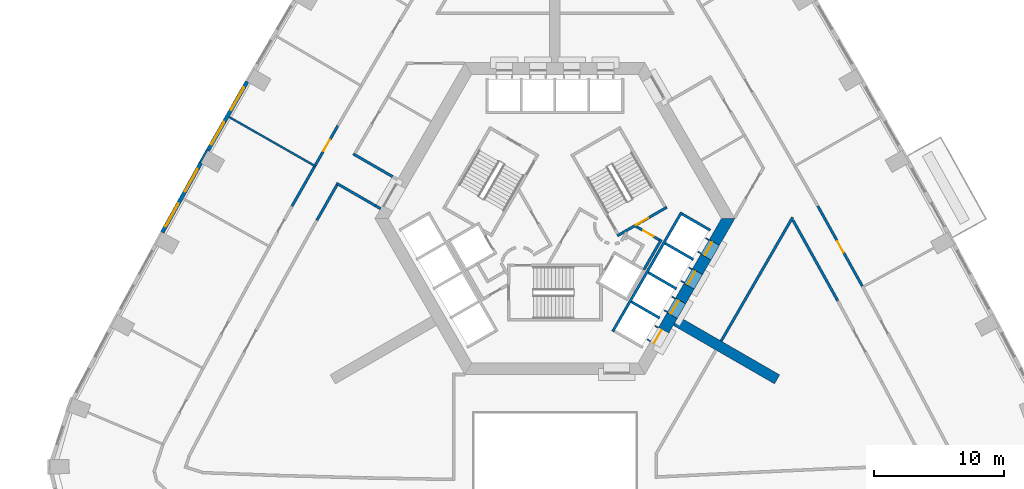
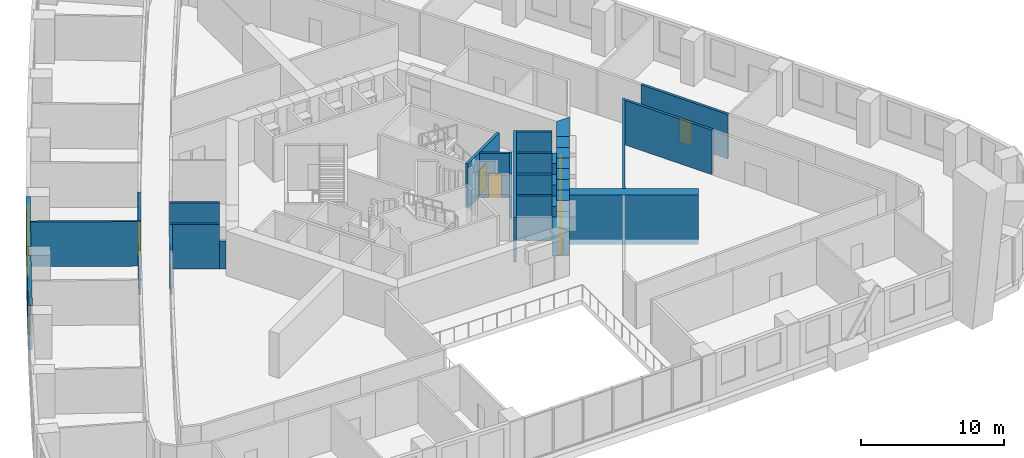
# One storey, part 7 of 15: 33 walls, 8 doors, 4 windows, 12 openings.
"""IFC4 building model written with IfcOpenShell, lengths in metres."""

from ifc_helpers import new_model, si_unit, direction, frame, frame_2d, origin, place, context, subcontext, project, spatial, polyline, rectangle, outline, extrude, material, layer, layer_set, type_object, element, fill, save


model = new_model("IFC4")

# Units and contexts
model_context = context("Model", 3, precision=1e-05, world=origin(), true_north=direction((0.0, 1.0)))
body_context = subcontext(model_context, "Body", "Model", "MODEL_VIEW")
ifc_project = project(units=[si_unit("LENGTHUNIT", "METRE"), si_unit("AREAUNIT", "SQUARE_METRE"), si_unit("VOLUMEUNIT", "CUBIC_METRE"), si_unit("PLANEANGLEUNIT", "RADIAN"), si_unit("MASSUNIT", "GRAM", prefix="KILO")], contexts=[model_context])

# Site, building, storey
site_placement = place(None, origin())
site = spatial("IfcSite", under=ifc_project, at=site_placement, CompositionType="ELEMENT")
building_placement = place(site_placement, origin())
building = spatial("IfcBuilding", under=site, at=building_placement, Name="Entoto Arch Interchange Tower", CompositionType="ELEMENT")
storey_placement = place(building_placement, frame((0.0, 0.0, 111.800048828125)))
storey = spatial("IfcBuildingStorey", under=building, at=storey_placement, Name="L24", CompositionType="ELEMENT", Elevation=111.800048828125)

# Walls
ifc_material_1 = material(Name="Concrete C60/75", Category="concrete")
ifc_layer_1 = layer(ifc_material_1, 0.800048828125)
ifc_layer_set_1 = layer_set([ifc_layer_1], Name="Concrete C60/75")
wall_type_1 = type_object("IfcWallType", Name="Buttress wall 800 C60/75", PredefinedType="SHEAR", material=ifc_layer_set_1)
wall_1_placement = place(storey_placement, frame((9.31005859375, -5.375, -0.400146484375), z_axis=(0.0, 0.0, 1.0), x_axis=(0.866017533419, -0.500013631625, 0.0)))
element("IfcWall", 1, at=wall_1_placement, inside=storey, type_object=wall_type_1, Name="Buttress wall SE L24", PredefinedType="SHEAR", context=body_context, shape_type="SweptSolid", body=[
    extrude(rectangle(XDim=8.999755859375, YDim=0.800048828125, at=frame_2d((4.5, 0.0))), origin(), (0.0, 0.0, 1.0), 4.2001953125),
])
ifc_layer_2 = layer(ifc_material_1, 0.89990234375)
ifc_layer_set_2 = layer_set([ifc_layer_2], Name="Concrete C60/75")
wall_type_2 = type_object("IfcWallType", Name="Core wall 900 C60/75", PredefinedType="SHEAR", material=ifc_layer_set_2)
wall_2_placement = place(storey_placement, frame((0.0, 0.0, -0.400146484375)))
element("IfcWall", 2, at=wall_2_placement, inside=storey, type_object=wall_type_2, Name="Core wall SE L24", PredefinedType="SHEAR", context=body_context, shape_type="SweptSolid", body=[
    extrude(outline(polyline([(9.4169921875, -5.18896484375), (8.637939453125, -4.739013671875), (7.988037109375, -5.864013671875), (8.76708984375, -6.31396484375), (9.4169921875, -5.18896484375)])), origin(), (0.0, 0.0, 1.0), 4.2001953125),
])
wall_3_placement = place(storey_placement, frame((0.0, 0.0, -0.400146484375)))
element("IfcWall", 3, at=wall_3_placement, inside=storey, type_object=wall_type_2, Name="Core wall SE L24", PredefinedType="SHEAR", context=body_context, shape_type="SweptSolid", body=[
    extrude(outline(polyline([(10.717041015625, -2.93701171875), (9.93798828125, -2.487060546875), (9.2880859375, -3.613037109375), (10.06689453125, -4.06298828125), (10.717041015625, -2.93701171875)])), origin(), (0.0, 0.0, 1.0), 4.2001953125),
])
wall_4_placement = place(storey_placement, frame((0.0, 0.0, -0.400146484375)))
element("IfcWall", 4, at=wall_4_placement, inside=storey, type_object=wall_type_2, Name="Core wall SE L24", PredefinedType="SHEAR", context=body_context, shape_type="SweptSolid", body=[
    extrude(outline(polyline([(12.01708984375, -0.68603515625), (11.238037109375, -0.236083984375), (10.587890625, -1.361083984375), (11.366943359375, -1.81103515625), (12.01708984375, -0.68603515625)])), origin(), (0.0, 0.0, 1.0), 4.2001953125),
])
wall_5_placement = place(storey_placement, frame((0.0, 0.0, -0.400146484375)))
element("IfcWall", 5, at=wall_5_placement, inside=storey, type_object=wall_type_2, Name="Core wall SE L24", PredefinedType="SHEAR", context=body_context, shape_type="SweptSolid", body=[
    extrude(outline(polyline([(11.887939453125, 0.889892578125), (12.6669921875, 0.43994140625), (13.85595703125, 2.5), (12.81689453125, 2.5), (11.887939453125, 0.889892578125)])), origin(), (0.0, 0.0, 1.0), 4.2001953125),
])
wall_6_placement = place(storey_placement, frame((0.0, 0.0, 3.599853515625)))
element("IfcWall", 6, at=wall_6_placement, inside=storey, type_object=wall_type_2, Name="Core wall lintel SE L24", PredefinedType="SHEAR", context=body_context, shape_type="SweptSolid", body=[
    extrude(outline(polyline([(10.06689453125, -4.06298828125), (9.2880859375, -3.613037109375), (8.637939453125, -4.739013671875), (9.4169921875, -5.18896484375), (10.06689453125, -4.06298828125)])), origin(), (0.0, 0.0, 1.0), 0.2001953125),
])
wall_7_placement = place(storey_placement, frame((0.0, 0.0, 3.599853515625)))
element("IfcWall", 7, at=wall_7_placement, inside=storey, type_object=wall_type_2, Name="Core wall lintel SE L24", PredefinedType="SHEAR", context=body_context, shape_type="SweptSolid", body=[
    extrude(outline(polyline([(11.366943359375, -1.81103515625), (10.587890625, -1.361083984375), (9.93798828125, -2.487060546875), (10.717041015625, -2.93701171875), (11.366943359375, -1.81103515625)])), origin(), (0.0, 0.0, 1.0), 0.2001953125),
])
wall_8_placement = place(storey_placement, frame((0.0, 0.0, 3.599853515625)))
element("IfcWall", 8, at=wall_8_placement, inside=storey, type_object=wall_type_2, Name="Core wall lintel SE L24", PredefinedType="SHEAR", context=body_context, shape_type="SweptSolid", body=[
    extrude(outline(polyline([(12.6669921875, 0.43994140625), (11.887939453125, 0.889892578125), (11.238037109375, -0.236083984375), (12.01708984375, -0.68603515625), (12.6669921875, 0.43994140625)])), origin(), (0.0, 0.0, 1.0), 0.2001953125),
])

# Wall, opening, door
ifc_material_2 = material(Name="Concrete C40/50", Category="concrete")
ifc_layer_3 = layer(ifc_material_2, 1.199951171875)
ifc_layer_set_3 = layer_set([ifc_layer_3], Name="Concrete C40/50")
wall_type_3 = type_object("IfcWallType", Name="LIFT LANDING INFILL WALL", PredefinedType="STANDARD", material=ifc_layer_set_3)
wall_9_placement = place(storey_placement, frame((7.597900390625, -7.139892578125, 0.0), z_axis=(0.0, 0.0, 1.0), x_axis=(0.500362116554, 0.865816234728, 0.0)))
wall_9 = element("IfcWall", 9, at=wall_9_placement, inside=storey, type_object=wall_type_3, Name="Lift landing infill wall LR5 L24", PredefinedType="STANDARD", context=body_context, shape_type="SweptSolid", body=[
    extrude(rectangle(XDim=1.29931640625, YDim=1.199951171875, at=frame_2d((0.649658203125, 0.0))), origin(), (0.0, 0.0, 1.0), 2.39990234375),
])
opening_1_placement = place(wall_9_placement, frame((0.10009765625, 0.0, 0.0)))
opening_1 = element("IfcOpeningElement", 10, at=opening_1_placement, cuts=wall_9, Name="Opening LD-LR5-L24", PredefinedType="OPENING", context=body_context, shape_type="SweptSolid", body=[
    extrude(rectangle(XDim=1.10009765625, YDim=2.300048828125, at=frame_2d((0.550048828125, 1.14990234375))), frame((0.0, 0.60986328125, 0.0), z_axis=(0.0, -1.0, 0.0), x_axis=(1.0, 0.0, 0.0)), (0.0, 0.0, 1.0), 1.219970703125),
])
ifc_material_3 = material(Name="Stainless steel 1.4301 panels", Category="steel")
door_type_1 = type_object("IfcDoorType", Name="LIFT LANDING DOOR LD2 1100x2300", OperationType="SLIDING_TO_LEFT", PredefinedType="DOOR", material=ifc_material_3)
door_1_placement = place(opening_1_placement, origin())
door_1 = element("IfcDoor", 11, at=door_1_placement, inside=storey, type_object=door_type_1, Name="Lift landing door LR5 L24", OperationType="SLIDING_TO_LEFT", OverallHeight=2.300048828125, OverallWidth=1.10009765625, PredefinedType="DOOR", context=body_context, shape_type="SweptSolid", body=[
    extrude(rectangle(XDim=1.10009765625, YDim=2.300048828125, at=frame_2d((0.550048828125, 1.14990234375))), frame((0.0, 0.02490234375, 0.0), z_axis=(0.0, -1.0, 0.0), x_axis=(1.0, 0.0, 0.0)), (0.0, 0.0, 1.0), 0.050048828125),
])
fill(opening_1, door_1)

wall_10_placement = place(storey_placement, frame((8.89794921875, -4.888916015625, 0.0), z_axis=(0.0, 0.0, 1.0), x_axis=(0.500036693733, 0.866004217611, 0.0)))
wall_10 = element("IfcWall", 12, at=wall_10_placement, inside=storey, type_object=wall_type_3, Name="Lift landing infill wall LR6 L24", PredefinedType="STANDARD", context=body_context, shape_type="SweptSolid", body=[
    extrude(rectangle(XDim=1.30029296875, YDim=1.199951171875, at=frame_2d((0.650146484375, 0.0))), origin(), (0.0, 0.0, 1.0), 2.39990234375),
])
opening_2_placement = place(wall_10_placement, frame((0.10009765625, 0.0, 0.0)))
opening_2 = element("IfcOpeningElement", 13, at=opening_2_placement, cuts=wall_10, Name="Opening LD-LR6-L24", PredefinedType="OPENING", context=body_context, shape_type="SweptSolid", body=[
    extrude(rectangle(XDim=1.10009765625, YDim=2.300048828125, at=frame_2d((0.550048828125, 1.14990234375))), frame((0.0, 0.60986328125, 0.0), z_axis=(0.0, -1.0, 0.0), x_axis=(1.0, 0.0, 0.0)), (0.0, 0.0, 1.0), 1.219970703125),
])
door_2_placement = place(opening_2_placement, origin())
door_2 = element("IfcDoor", 14, at=door_2_placement, inside=storey, type_object=door_type_1, Name="Lift landing door LR6 L24", OperationType="SLIDING_TO_LEFT", OverallHeight=2.300048828125, OverallWidth=1.10009765625, PredefinedType="DOOR", context=body_context, shape_type="SweptSolid", body=[
    extrude(rectangle(XDim=1.10009765625, YDim=2.300048828125, at=frame_2d((0.550048828125, 1.14990234375))), frame((0.0, 0.02490234375, 0.0), z_axis=(0.0, -1.0, 0.0), x_axis=(1.0, 0.0, 0.0)), (0.0, 0.0, 1.0), 0.050048828125),
])
fill(opening_2, door_2)

wall_11_placement = place(storey_placement, frame((10.197998046875, -2.636962890625, 0.0), z_axis=(0.0, 0.0, 1.0), x_axis=(0.49989585183, 0.866085525409, 0.0)))
wall_11 = element("IfcWall", 15, at=wall_11_placement, inside=storey, type_object=wall_type_3, Name="Lift landing infill wall LR7 L24", PredefinedType="STANDARD", context=body_context, shape_type="SweptSolid", body=[
    extrude(rectangle(XDim=1.300048828125, YDim=1.199951171875, at=frame_2d((0.64990234375, 0.0))), origin(), (0.0, 0.0, 1.0), 2.39990234375),
])
opening_3_placement = place(wall_11_placement, frame((0.10009765625, 0.0, 0.0)))
opening_3 = element("IfcOpeningElement", 16, at=opening_3_placement, cuts=wall_11, Name="Opening LD-LR7-L24", PredefinedType="OPENING", context=body_context, shape_type="SweptSolid", body=[
    extrude(rectangle(XDim=1.10009765625, YDim=2.300048828125, at=frame_2d((0.550048828125, 1.14990234375))), frame((0.0, 0.60986328125, 0.0), z_axis=(0.0, -1.0, 0.0), x_axis=(1.0, 0.0, 0.0)), (0.0, 0.0, 1.0), 1.219970703125),
])
door_3_placement = place(opening_3_placement, origin())
door_3 = element("IfcDoor", 17, at=door_3_placement, inside=storey, type_object=door_type_1, Name="Lift landing door LR7 L24", OperationType="SLIDING_TO_LEFT", OverallHeight=2.300048828125, OverallWidth=1.10009765625, PredefinedType="DOOR", context=body_context, shape_type="SweptSolid", body=[
    extrude(rectangle(XDim=1.10009765625, YDim=2.300048828125, at=frame_2d((0.550048828125, 1.14990234375))), frame((0.0, 0.02490234375, 0.0), z_axis=(0.0, -1.0, 0.0), x_axis=(1.0, 0.0, 0.0)), (0.0, 0.0, 1.0), 0.050048828125),
])
fill(opening_3, door_3)

wall_12_placement = place(storey_placement, frame((11.498046875, -0.385009765625, 0.0), z_axis=(0.0, 0.0, 1.0), x_axis=(0.500221244143, 0.865897630733, 0.0)))
wall_12 = element("IfcWall", 18, at=wall_12_placement, inside=storey, type_object=wall_type_3, Name="Lift landing infill wall LR8 L24", PredefinedType="STANDARD", context=body_context, shape_type="SweptSolid", body=[
    extrude(rectangle(XDim=1.29931640625, YDim=1.199951171875, at=frame_2d((0.649658203125, 0.0))), origin(), (0.0, 0.0, 1.0), 2.39990234375),
])
opening_4_placement = place(wall_12_placement, frame((0.10009765625, 0.0, 0.0)))
opening_4 = element("IfcOpeningElement", 19, at=opening_4_placement, cuts=wall_12, Name="Opening LD-LR8-L24", PredefinedType="OPENING", context=body_context, shape_type="SweptSolid", body=[
    extrude(rectangle(XDim=1.10009765625, YDim=2.300048828125, at=frame_2d((0.550048828125, 1.14990234375))), frame((0.0, 0.60986328125, 0.0), z_axis=(0.0, -1.0, 0.0), x_axis=(1.0, 0.0, 0.0)), (0.0, 0.0, 1.0), 1.219970703125),
])
door_4_placement = place(opening_4_placement, origin())
door_4 = element("IfcDoor", 20, at=door_4_placement, inside=storey, type_object=door_type_1, Name="Lift landing door LR8 L24", OperationType="SLIDING_TO_LEFT", OverallHeight=2.300048828125, OverallWidth=1.10009765625, PredefinedType="DOOR", context=body_context, shape_type="SweptSolid", body=[
    extrude(rectangle(XDim=1.10009765625, YDim=2.300048828125, at=frame_2d((0.550048828125, 1.14990234375))), frame((0.0, 0.02490234375, 0.0), z_axis=(0.0, -1.0, 0.0), x_axis=(1.0, 0.0, 0.0)), (0.0, 0.0, 1.0), 0.050048828125),
])
fill(opening_4, door_4)

# Walls
ifc_layer_4 = layer(ifc_material_2, 0.199951171875)
ifc_layer_set_4 = layer_set([ifc_layer_4], Name="Concrete C40/50")
wall_type_4 = type_object("IfcWallType", Name="LIFT SHAFT WALL 200", PredefinedType="STANDARD", material=ifc_layer_set_4)
wall_13_placement = place(storey_placement, frame((4.450927734375, -6.18994140625, 0.0), z_axis=(0.0, 0.0, 1.0), x_axis=(0.50000090737, 0.866024879913, 0.0)))
element("IfcWall", 21, at=wall_13_placement, inside=storey, type_object=wall_type_4, Name="Shaft wall SE3 front", PredefinedType="STANDARD", context=body_context, shape_type="SweptSolid", body=[
    extrude(rectangle(XDim=10.60009765625, YDim=0.199951171875, at=frame_2d((5.300048828125, 0.0))), origin(), (0.0, 0.0, 1.0), 3.800048828125),
])
for number, where, z_axis, x_axis, name in (
    (22, (5.887939453125, -3.902099609375, 0.0), (0.0, 0.0, 1.0), (0.866022959057, -0.500004234368, 0.0), "Shaft wall SE3 cross 2"),
    (23, (7.18798828125, -1.64990234375, 0.0), (0.0, 0.0, 1.0), (0.866022959057, -0.500004234368, 0.0), "Shaft wall SE3 cross 3"),
    (24, (8.488037109375, 0.60205078125, 0.0), (0.0, 0.0, 1.0), (0.866022959057, -0.500004234368, 0.0), "Shaft wall SE3 cross 4"),
):
    element("IfcWall", number, at=place(storey_placement, frame(where, z_axis=z_axis, x_axis=x_axis)), inside=storey, type_object=wall_type_4, Name=name, PredefinedType="STANDARD", context=body_context, shape_type="SweptSolid", body=[
        extrude(rectangle(XDim=2.5, YDim=0.199951171875, at=frame_2d((1.25, 0.0))), origin(), (0.0, 0.0, 1.0), 3.800048828125),
    ])
wall_14_placement = place(storey_placement, frame((9.7880859375, 2.85302734375, 0.0), z_axis=(0.0, 0.0, 1.0), x_axis=(0.865998541277, -0.500046524342, 0.0)))
element("IfcWall", 25, at=wall_14_placement, inside=storey, type_object=wall_type_4, Name="Shaft wall SE3 cross 5", PredefinedType="STANDARD", context=body_context, shape_type="SweptSolid", body=[
    extrude(rectangle(XDim=2.499755859375, YDim=0.199951171875, at=frame_2d((1.25, 0.0))), origin(), (0.0, 0.0, 1.0), 3.800048828125),
])
ifc_material_4 = material(Name="Gypsum board partition on steel studs", Category="steel")
ifc_layer_5 = layer(ifc_material_4, 0.14990234375)
ifc_layer_set_5 = layer_set([ifc_layer_5], Name="Gypsum board partition on steel studs")
wall_type_5 = type_object("IfcWallType", Name="PARTITION 150", PredefinedType="PARTITIONING", material=ifc_layer_set_5)
wall_15_placement = place(storey_placement, frame((-18.39111328125, 6.506103515625, 0.0), z_axis=(0.0, 0.0, 1.0), x_axis=(-0.868738258528, 0.495271479261, 0.0)))
element("IfcWall", 26, at=wall_15_placement, inside=storey, type_object=wall_type_5, Name="wall:L24:p130", PredefinedType="PARTITIONING", context=body_context, shape_type="SweptSolid", body=[
    extrude(rectangle(XDim=7.70068359375, YDim=0.14990234375, at=frame_2d((3.850341796875, 0.0))), origin(), (0.0, 0.0, 1.0), 3.800048828125),
])
ifc_layer_6 = layer(ifc_material_4, 0.199951171875)
ifc_layer_set_6 = layer_set([ifc_layer_6], Name="Gypsum board partition on steel studs")
wall_type_6 = type_object("IfcWallType", Name="PARTITION 200", PredefinedType="PARTITIONING", material=ifc_layer_set_6)
wall_16_placement = place(storey_placement, frame((-15.531982421875, 7.48388671875, 0.0), z_axis=(0.0, 0.0, 1.0), x_axis=(0.866045954906, -0.499964402723, 0.0)))
element("IfcWall", 27, at=wall_16_placement, inside=storey, type_object=wall_type_6, Name="wall:L24:p004", PredefinedType="PARTITIONING", context=body_context, shape_type="SweptSolid", body=[
    extrude(rectangle(XDim=3.493896484375, YDim=0.199951171875, at=frame_2d((1.7470703125, 0.0))), origin(), (0.0, 0.0, 1.0), 3.800048828125),
])
wall_17_placement = place(storey_placement, frame((21.77294921875, -3.822021484375, 0.0), z_axis=(0.0, 0.0, 1.0), x_axis=(-0.485826874234, 0.874055060206, 0.0)))
element("IfcWall", 28, at=wall_17_placement, inside=storey, type_object=wall_type_6, Name="wall:L24:p025", PredefinedType="PARTITIONING", context=body_context, shape_type="SweptSolid", body=[
    extrude(rectangle(XDim=7.09912109375, YDim=0.199951171875, at=frame_2d((3.549560546875, 0.0))), origin(), (0.0, 0.0, 1.0), 3.800048828125),
])
wall_18_placement = place(storey_placement, frame((-13.4169921875, 3.260009765625, 0.0), z_axis=(0.0, 0.0, 1.0), x_axis=(-0.866032067792, 0.499988457423, 0.0)))
element("IfcWall", 29, at=wall_18_placement, inside=storey, type_object=wall_type_6, Name="wall:L24:p026", PredefinedType="PARTITIONING", context=body_context, shape_type="SweptSolid", body=[
    extrude(rectangle(XDim=0.4501953125, YDim=0.199951171875, at=frame_2d((0.22509765625, 0.0))), origin(), (0.0, 0.0, 1.0), 2.39990234375),
])
wall_19_placement = place(storey_placement, frame((-16.782958984375, 5.087890625, 0.0), z_axis=(0.0, 0.0, 1.0), x_axis=(-0.495023676383, -0.868879485211, 0.0)))
element("IfcWall", 30, at=wall_19_placement, inside=storey, type_object=wall_type_6, Name="wall:L24:p027", PredefinedType="PARTITIONING", context=body_context, shape_type="SweptSolid", body=[
    extrude(rectangle(XDim=3.113037109375, YDim=0.199951171875, at=frame_2d((1.556640625, 0.0))), origin(), (0.0, 0.0, 1.0), 3.800048828125),
])

# Wall, opening, door
wall_20_placement = place(storey_placement, frame((20.241943359375, 3.4619140625, 0.0), z_axis=(0.0, 0.0, 1.0), x_axis=(0.485742937917, -0.874101709336, 0.0)))
wall_20 = element("IfcWall", 31, at=wall_20_placement, inside=storey, type_object=wall_type_6, Name="wall:L24:p046", PredefinedType="PARTITIONING", context=body_context, shape_type="SweptSolid", body=[
    extrude(rectangle(XDim=7.047119140625, YDim=0.199951171875, at=frame_2d((3.5234375, 0.0))), origin(), (0.0, 0.0, 1.0), 3.800048828125),
])
opening_5_placement = place(wall_20_placement, frame((3.09912109375, 0.0, 0.0)))
opening_5 = element("IfcOpeningElement", 32, at=opening_5_placement, cuts=wall_20, Name="Opening L24-D04", PredefinedType="OPENING", context=body_context, shape_type="SweptSolid", body=[
    extrude(rectangle(XDim=1.0, YDim=2.10009765625, at=frame_2d((0.5, 1.050048828125))), frame((0.0, 0.10986328125, 0.0), z_axis=(0.0, -1.0, 0.0), x_axis=(1.0, 0.0, 0.0)), (0.0, 0.0, 1.0), 0.219970703125),
])
ifc_material_5 = material(Name="Timber door leaf in Steel S235 frame", Category="steel")
door_type_2 = type_object("IfcDoorType", Name="DOOR DS-10 1000x2100", OperationType="SINGLE_SWING_LEFT", PredefinedType="DOOR", material=ifc_material_5)
door_5_placement = place(opening_5_placement, origin())
door_5 = element("IfcDoor", 33, at=door_5_placement, inside=storey, type_object=door_type_2, Name="door:L24:04", OperationType="SINGLE_SWING_LEFT", OverallHeight=2.10009765625, OverallWidth=1.0, PredefinedType="DOOR", context=body_context, shape_type="SweptSolid", body=[
    extrude(rectangle(XDim=1.0, YDim=2.10009765625, at=frame_2d((0.5, 1.050048828125))), frame((0.0, 0.02490234375, 0.0), z_axis=(0.0, -1.0, 0.0), x_axis=(1.0, 0.0, 0.0)), (0.0, 0.0, 1.0), 0.050048828125),
])
fill(opening_5, door_5)

wall_21_placement = place(storey_placement, frame((-18.44091796875, 6.62109375, 0.0), z_axis=(0.0, 0.0, 1.0), x_axis=(0.495286549488, 0.868729666753, 0.0)))
wall_21 = element("IfcWall", 34, at=wall_21_placement, inside=storey, type_object=wall_type_6, Name="wall:L24:p062", PredefinedType="PARTITIONING", context=body_context, shape_type="SweptSolid", body=[
    extrude(rectangle(XDim=3.486572265625, YDim=0.199951171875, at=frame_2d((1.7431640625, 0.0))), origin(), (0.0, 0.0, 1.0), 3.800048828125),
])
opening_6_placement = place(wall_21_placement, frame((1.242919921875, 0.0, 0.0)))
opening_6 = element("IfcOpeningElement", 35, at=opening_6_placement, cuts=wall_21, Name="Opening L24-D12", PredefinedType="OPENING", context=body_context, shape_type="SweptSolid", body=[
    extrude(rectangle(XDim=1.0, YDim=2.10009765625, at=frame_2d((0.5, 1.050048828125))), frame((0.0, 0.10986328125, 0.0), z_axis=(0.0, -1.0, 0.0), x_axis=(1.0, 0.0, 0.0)), (0.0, 0.0, 1.0), 0.219970703125),
])
door_6_placement = place(opening_6_placement, origin())
door_6 = element("IfcDoor", 36, at=door_6_placement, inside=storey, type_object=door_type_2, Name="door:L24:12", OperationType="SINGLE_SWING_RIGHT", OverallHeight=2.10009765625, OverallWidth=1.0, PredefinedType="DOOR", context=body_context, shape_type="SweptSolid", body=[
    extrude(rectangle(XDim=1.0, YDim=2.10009765625, at=frame_2d((0.5, 1.050048828125))), frame((0.0, 0.02490234375, 0.0), z_axis=(0.0, -1.0, 0.0), x_axis=(1.0, 0.0, 0.0)), (0.0, 0.0, 1.0), 0.050048828125),
])
fill(opening_6, door_6)

# Wall
wall_22_placement = place(storey_placement, frame((-20.241943359375, 3.4619140625, 0.0), z_axis=(0.0, 0.0, 1.0), x_axis=(0.495309264725, 0.868716715781, 0.0)))
element("IfcWall", 37, at=wall_22_placement, inside=storey, type_object=wall_type_6, Name="wall:L24:p065", PredefinedType="PARTITIONING", context=body_context, shape_type="SweptSolid", body=[
    extrude(rectangle(XDim=3.48681640625, YDim=0.199951171875, at=frame_2d((1.743408203125, 0.0))), origin(), (0.0, 0.0, 1.0), 3.800048828125),
])

# Wall, opening, door
wall_23_placement = place(storey_placement, frame((6.25, 1.89404296875, 0.0), z_axis=(0.0, 0.0, 1.0), x_axis=(0.866043184279, -0.499969202016, 0.0)))
wall_23 = element("IfcWall", 38, at=wall_23_placement, inside=storey, type_object=wall_type_6, Name="wall:L24:p081", PredefinedType="PARTITIONING", context=body_context, shape_type="SweptSolid", body=[
    extrude(rectangle(XDim=2.084228515625, YDim=0.199951171875, at=frame_2d((1.0419921875, 0.0))), origin(), (0.0, 0.0, 1.0), 3.800048828125),
])
opening_7_placement = place(wall_23_placement, frame((0.64208984375, 0.0, 0.0)))
opening_7 = element("IfcOpeningElement", 39, at=opening_7_placement, cuts=wall_23, Name="Opening L24-D30", PredefinedType="OPENING", context=body_context, shape_type="SweptSolid", body=[
    extrude(rectangle(XDim=0.89990234375, YDim=2.10009765625, at=frame_2d((0.449951171875, 1.050048828125))), frame((0.0, 0.10986328125, 0.0), z_axis=(0.0, -1.0, 0.0), x_axis=(1.0, 0.0, 0.0)), (0.0, 0.0, 1.0), 0.219970703125),
])
door_type_3 = type_object("IfcDoorType", Name="DOOR DS-09 900x2100", OperationType="SINGLE_SWING_LEFT", PredefinedType="DOOR", material=ifc_material_5)
door_7_placement = place(opening_7_placement, origin())
door_7 = element("IfcDoor", 40, at=door_7_placement, inside=storey, type_object=door_type_3, Name="door:L24:30", OperationType="SINGLE_SWING_LEFT", OverallHeight=2.10009765625, OverallWidth=0.89990234375, PredefinedType="DOOR", context=body_context, shape_type="SweptSolid", body=[
    extrude(rectangle(XDim=0.89990234375, YDim=2.10009765625, at=frame_2d((0.449951171875, 1.050048828125))), frame((0.0, 0.02490234375, 0.0), z_axis=(0.0, -1.0, 0.0), x_axis=(1.0, 0.0, 0.0)), (0.0, 0.0, 1.0), 0.050048828125),
])
fill(opening_7, door_7)

# Walls
wall_24_placement = place(storey_placement, frame((8.19189453125, 0.887939453125, 0.0), z_axis=(0.0, 0.0, 1.0), x_axis=(-0.499940625693, -0.866059680843, 0.0)))
element("IfcWall", 41, at=wall_24_placement, inside=storey, type_object=wall_type_6, Name="wall:L24:p082", PredefinedType="PARTITIONING", context=body_context, shape_type="SweptSolid", body=[
    extrude(rectangle(XDim=2.679931640625, YDim=0.199951171875, at=frame_2d((1.33984375, 0.0))), origin(), (0.0, 0.0, 1.0), 3.800048828125),
])
wall_25_placement = place(storey_placement, frame((18.301025390625, 2.597900390625, 0.0), z_axis=(0.0, 0.0, 1.0), x_axis=(-0.49997732567, -0.866038494419, 0.0)))
element("IfcWall", 42, at=wall_25_placement, inside=storey, type_object=wall_type_6, Name="wall:L24:p116", PredefinedType="PARTITIONING", context=body_context, shape_type="SweptSolid", body=[
    extrude(rectangle(XDim=11.00048828125, YDim=0.199951171875, at=frame_2d((5.500244140625, 0.0))), origin(), (0.0, 0.0, 1.0), 3.800048828125),
])
wall_26_placement = place(storey_placement, frame((-13.806884765625, 3.485107421875, 0.0), z_axis=(0.0, 0.0, 1.0), x_axis=(-0.865984597717, 0.500070671522, 0.0)))
element("IfcWall", 43, at=wall_26_placement, inside=storey, type_object=wall_type_6, Name="wall:L24:p026", PredefinedType="PARTITIONING", context=body_context, shape_type="SweptSolid", body=[
    extrude(rectangle(XDim=3.4794921875, YDim=0.199951171875, at=frame_2d((1.73974609375, 0.0))), origin(), (0.0, 0.0, 1.0), 3.800048828125),
])

# Wall, opening, door
ifc_layer_7 = layer(ifc_material_2, 0.199951171875)
ifc_layer_set_7 = layer_set([ifc_layer_7], Name="Concrete C40/50")
wall_type_7 = type_object("IfcWallType", Name="STAIR ENCLOSURE WALL 200", PredefinedType="STANDARD", material=ifc_layer_set_7)
wall_27_placement = place(storey_placement, frame((4.805908203125, 1.176025390625, 0.0), z_axis=(0.0, 0.0, 1.0), x_axis=(0.866059941101, 0.499940174841, 0.0)))
wall_27 = element("IfcWall", 44, at=wall_27_placement, inside=storey, type_object=wall_type_7, Name="Stair wall ST-NE near", PredefinedType="STANDARD", context=body_context, shape_type="SweptSolid", body=[
    extrude(rectangle(XDim=4.400390625, YDim=0.199951171875, at=frame_2d((2.2001953125, 0.0))), origin(), (0.0, 0.0, 1.0), 3.800048828125),
])
opening_8_placement = place(wall_27_placement, frame((1.64990234375, 0.0, 0.0)))
opening_8 = element("IfcOpeningElement", 45, at=opening_8_placement, cuts=wall_27, Name="Opening SD-ST-NE-L24-E", PredefinedType="OPENING", context=body_context, shape_type="SweptSolid", body=[
    extrude(rectangle(XDim=1.10009765625, YDim=2.199951171875, at=frame_2d((0.550048828125, 1.10009765625))), frame((0.0, 0.10986328125, 0.0), z_axis=(0.0, -1.0, 0.0), x_axis=(1.0, 0.0, 0.0)), (0.0, 0.0, 1.0), 0.219970703125),
])
ifc_material_6 = material(Name="Steel S235", Category="steel")
door_type_4 = type_object("IfcDoorType", Name="STAIR DOOR SD1 1100x2200", OperationType="SINGLE_SWING_LEFT", PredefinedType="DOOR", material=ifc_material_6)
door_8_placement = place(opening_8_placement, origin())
door_8 = element("IfcDoor", 46, at=door_8_placement, inside=storey, type_object=door_type_4, Name="Stair door ST-NE L24 end", OperationType="SINGLE_SWING_LEFT", OverallHeight=2.199951171875, OverallWidth=1.10009765625, PredefinedType="DOOR", context=body_context, shape_type="SweptSolid", body=[
    extrude(rectangle(XDim=1.10009765625, YDim=2.199951171875, at=frame_2d((0.550048828125, 1.10009765625))), frame((0.0, 0.02490234375, 0.0), z_axis=(0.0, -1.0, 0.0), x_axis=(1.0, 0.0, 0.0)), (0.0, 0.0, 1.0), 0.050048828125),
])
fill(opening_8, door_8)

# Wall, openings, windows
ifc_material_7 = material(Name="Welded tuff (ignimbrite) cladding, warm buff", Category="masonry")
ifc_layer_8 = layer(ifc_material_7, 0.300048828125)
ifc_layer_set_8 = layer_set([ifc_layer_8], Name="Welded tuff (ignimbrite) cladding, warm buff")
wall_type_8 = type_object("IfcWallType", Name="STONE INFILL WALL 300", PredefinedType="STANDARD", material=ifc_layer_set_8)
wall_28_placement = place(storey_placement, frame((-23.697998046875, 13.048095703125, 0.0), z_axis=(0.0, 0.0, 1.0), x_axis=(-0.495114366991, -0.868827810098, 0.0)))
wall_28 = element("IfcWall", 47, at=wall_28_placement, inside=storey, type_object=wall_type_8, Name="Facade wall NW-05 L24", PredefinedType="STANDARD", context=body_context, shape_type="SweptSolid", body=[
    extrude(rectangle(XDim=6.109619140625, YDim=0.300048828125, at=frame_2d((3.0546875, 0.0))), origin(), (0.0, 0.0, 1.0), 3.800048828125),
])
opening_9_placement = place(wall_28_placement, frame((0.527099609375, 0.0, 0.89990234375)))
opening_9 = element("IfcOpeningElement", 48, at=opening_9_placement, cuts=wall_28, Name="Opening WO-C", PredefinedType="OPENING", context=body_context, shape_type="SweptSolid", body=[
    extrude(rectangle(XDim=2.0, YDim=2.60009765625, at=frame_2d((1.0, 1.300048828125))), frame((0.0, 0.16015625, 0.0), z_axis=(0.0, -1.0, 0.0), x_axis=(1.0, 0.0, 0.0)), (0.0, 0.0, 1.0), 0.320068359375),
])
opening_10_placement = place(wall_28_placement, frame((3.58203125, 0.0, 0.89990234375)))
opening_10 = element("IfcOpeningElement", 49, at=opening_10_placement, cuts=wall_28, Name="Opening WO-C", PredefinedType="OPENING", context=body_context, shape_type="SweptSolid", body=[
    extrude(rectangle(XDim=2.0, YDim=2.60009765625, at=frame_2d((1.0, 1.300048828125))), frame((0.0, 0.16015625, 0.0), z_axis=(0.0, -1.0, 0.0), x_axis=(1.0, 0.0, 0.0)), (0.0, 0.0, 1.0), 0.320068359375),
])
ifc_material_8 = material(Name="Clear glass, low-e double glazed", Category="glass")
window_type = type_object("IfcWindowType", Name="WINDOW WO-C 2000x2600", PartitioningType="DOUBLE_PANEL_VERTICAL", PredefinedType="WINDOW", material=ifc_material_8)
window_1_placement = place(opening_9_placement, origin())
window_1 = element("IfcWindow", 50, at=window_1_placement, inside=storey, type_object=window_type, Name="Window WO-C NW-05 L24", OverallHeight=2.60009765625, OverallWidth=2.0, PartitioningType="SINGLE_PANEL", PredefinedType="WINDOW", context=body_context, shape_type="SweptSolid", body=[
    extrude(rectangle(XDim=2.0, YDim=2.60009765625, at=frame_2d((1.0, 1.300048828125))), frame((0.0, 0.030029296875, 0.0), z_axis=(0.0, -1.0, 0.0), x_axis=(1.0, 0.0, 0.0)), (0.0, 0.0, 1.0), 0.06005859375),
])
fill(opening_9, window_1)
window_2_placement = place(opening_10_placement, origin())
window_2 = element("IfcWindow", 51, at=window_2_placement, inside=storey, type_object=window_type, Name="Window WO-C NW-05 L24", OverallHeight=2.60009765625, OverallWidth=2.0, PartitioningType="SINGLE_PANEL", PredefinedType="WINDOW", context=body_context, shape_type="SweptSolid", body=[
    extrude(rectangle(XDim=2.0, YDim=2.60009765625, at=frame_2d((1.0, 1.300048828125))), frame((0.0, 0.030029296875, 0.0), z_axis=(0.0, -1.0, 0.0), x_axis=(1.0, 0.0, 0.0)), (0.0, 0.0, 1.0), 0.06005859375),
])
fill(opening_10, window_2)

wall_29_placement = place(storey_placement, frame((-27.261962890625, 6.783935546875, 0.0), z_axis=(0.0, 0.0, 1.0), x_axis=(-0.485822751649, -0.874057351654, 0.0)))
wall_29 = element("IfcWall", 52, at=wall_29_placement, inside=storey, type_object=wall_type_8, Name="Facade wall NW-06 L24", PredefinedType="STANDARD", context=body_context, shape_type="SweptSolid", body=[
    extrude(rectangle(XDim=6.109375, YDim=0.300048828125, at=frame_2d((3.0546875, 0.0))), origin(), (0.0, 0.0, 1.0), 3.800048828125),
])
opening_11_placement = place(wall_29_placement, frame((0.527099609375, 0.0, 0.89990234375)))
opening_11 = element("IfcOpeningElement", 53, at=opening_11_placement, cuts=wall_29, Name="Opening WO-C", PredefinedType="OPENING", context=body_context, shape_type="SweptSolid", body=[
    extrude(rectangle(XDim=2.0, YDim=2.60009765625, at=frame_2d((1.0, 1.300048828125))), frame((0.0, 0.16015625, 0.0), z_axis=(0.0, -1.0, 0.0), x_axis=(1.0, 0.0, 0.0)), (0.0, 0.0, 1.0), 0.320068359375),
])
opening_12_placement = place(wall_29_placement, frame((3.58203125, 0.0, 0.89990234375)))
opening_12 = element("IfcOpeningElement", 54, at=opening_12_placement, cuts=wall_29, Name="Opening WO-C", PredefinedType="OPENING", context=body_context, shape_type="SweptSolid", body=[
    extrude(rectangle(XDim=2.0, YDim=2.60009765625, at=frame_2d((1.0, 1.300048828125))), frame((0.0, 0.16015625, 0.0), z_axis=(0.0, -1.0, 0.0), x_axis=(1.0, 0.0, 0.0)), (0.0, 0.0, 1.0), 0.320068359375),
])
window_3_placement = place(opening_11_placement, origin())
window_3 = element("IfcWindow", 55, at=window_3_placement, inside=storey, type_object=window_type, Name="Window WO-C NW-06 L24", OverallHeight=2.60009765625, OverallWidth=2.0, PartitioningType="SINGLE_PANEL", PredefinedType="WINDOW", context=body_context, shape_type="SweptSolid", body=[
    extrude(rectangle(XDim=2.0, YDim=2.60009765625, at=frame_2d((1.0, 1.300048828125))), frame((0.0, 0.030029296875, 0.0), z_axis=(0.0, -1.0, 0.0), x_axis=(1.0, 0.0, 0.0)), (0.0, 0.0, 1.0), 0.06005859375),
])
fill(opening_11, window_3)
window_4_placement = place(opening_12_placement, origin())
window_4 = element("IfcWindow", 56, at=window_4_placement, inside=storey, type_object=window_type, Name="Window WO-C NW-06 L24", OverallHeight=2.60009765625, OverallWidth=2.0, PartitioningType="SINGLE_PANEL", PredefinedType="WINDOW", context=body_context, shape_type="SweptSolid", body=[
    extrude(rectangle(XDim=2.0, YDim=2.60009765625, at=frame_2d((1.0, 1.300048828125))), frame((0.0, 0.030029296875, 0.0), z_axis=(0.0, -1.0, 0.0), x_axis=(1.0, 0.0, 0.0)), (0.0, 0.0, 1.0), 0.06005859375),
])
fill(opening_12, window_4)

# Wall
ifc_layer_9 = layer(ifc_material_7, 0.14990234375)
ifc_layer_set_9 = layer_set([ifc_layer_9], Name="Welded tuff (ignimbrite) cladding, warm buff")
wall_type_9 = type_object("IfcWallType", Name="STONE PIER CLADDING 150", PredefinedType="STANDARD", material=ifc_layer_set_9)
wall_30_placement = place(storey_placement, frame((-26.791015625, 7.780029296875, 0.0), z_axis=(0.0, 0.0, 1.0), x_axis=(-0.490008344094, -0.871717742574, 0.0)))
element("IfcWall", 57, at=wall_30_placement, inside=storey, type_object=wall_type_9, Name="Stone pier NW06 L24", PredefinedType="STANDARD", context=body_context, shape_type="SweptSolid", body=[
    extrude(rectangle(XDim=1.10009765625, YDim=0.14990234375, at=frame_2d((0.550048828125, 0.0))), origin(), (0.0, 0.0, 1.0), 3.800048828125),
])

save(model, "model.ifc")
